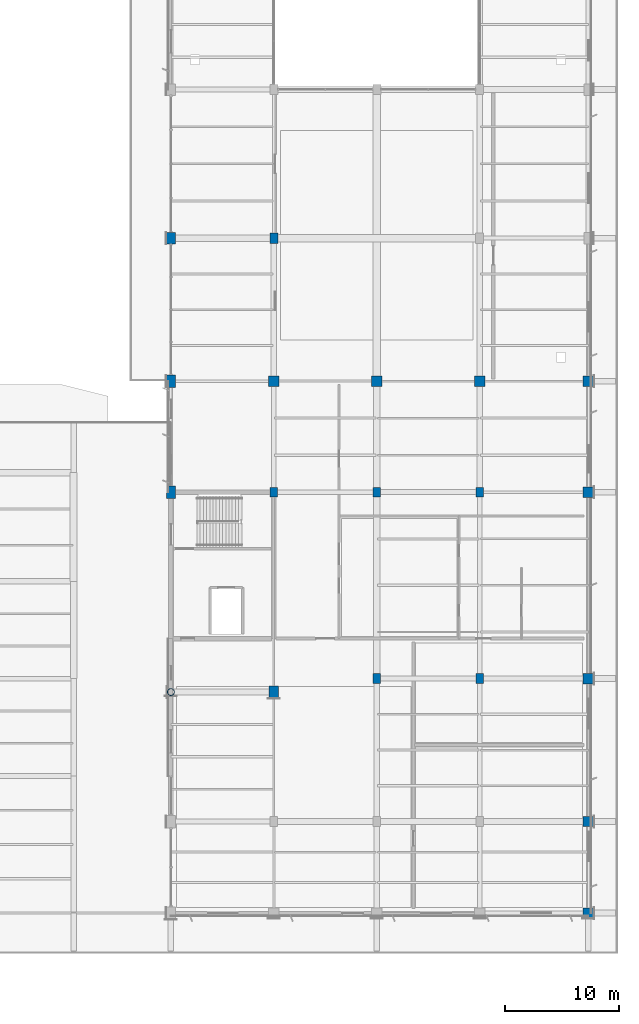
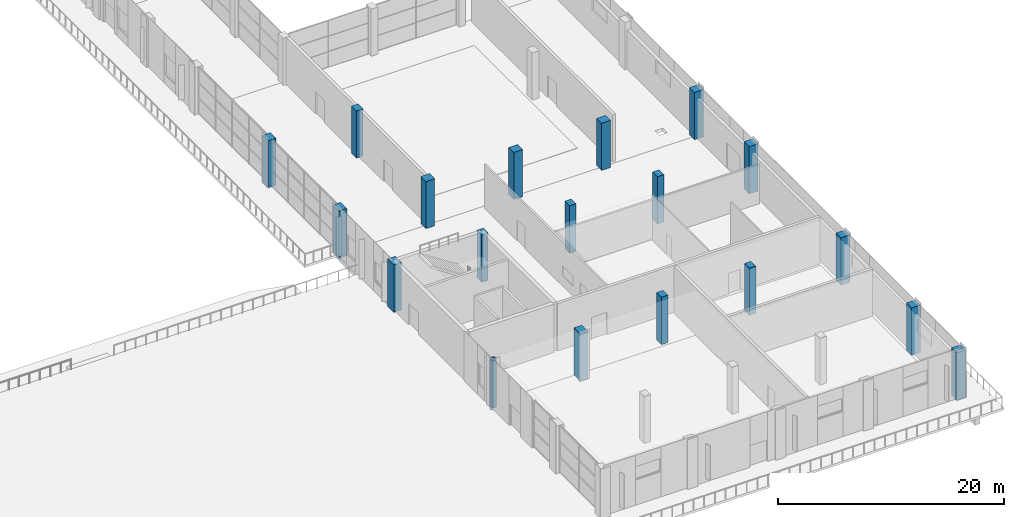
# One storey, part 6 of 90: 19 columns.
"""IFC4 building model written with IfcOpenShell, lengths in metres."""

from ifc_helpers import new_model, si_unit, direction, frame, origin, origin_2d, place, context, subcontext, project, spatial, rectangle, hollow_circle, extrude, material, material_profile, profile_set, type_object, element, save


model = new_model("IFC4")

# Units and contexts
model_context = context("Model", 3, precision=1e-05, world=origin(), true_north=direction((0.0, 1.0)))
body_context = subcontext(model_context, "Body", "Model", "MODEL_VIEW")
ifc_project = project(units=[si_unit("LENGTHUNIT", "METRE"), si_unit("AREAUNIT", "SQUARE_METRE"), si_unit("VOLUMEUNIT", "CUBIC_METRE"), si_unit("PLANEANGLEUNIT", "RADIAN"), si_unit("MASSUNIT", "GRAM", prefix="KILO")], contexts=[model_context])

# Site, building, storey
site_placement = place(None, origin())
site = spatial("IfcSite", under=ifc_project, at=site_placement, CompositionType="ELEMENT")
building_placement = place(site_placement, origin())
building = spatial("IfcBuilding", under=site, at=building_placement, Name="Solvikara Media Centre", CompositionType="ELEMENT")
storey_placement = place(building_placement, origin())
storey = spatial("IfcBuildingStorey", under=building, at=storey_placement, Name="L00", CompositionType="ELEMENT", Elevation=0.0)

# Columns
ifc_material_1 = material(Name="Concrete fc' 45 MPa (C45/55)", Category="concrete")
ifc_material_profile_1 = material_profile(ifc_material_1, rectangle(XDim=0.64990234375, YDim=0.85009765625, at=origin_2d()), Name="RC 650x850")
ifc_profile_set_1 = profile_set([ifc_material_profile_1], Name="Concrete fc' 45 MPa (C45/55)")
column_type_1 = type_object("IfcColumnType", Name="CL-11", PredefinedType="COLUMN", material=ifc_profile_set_1)
for number, where, z_axis, x_axis, name in (
    (1, (136.5, 36.800048828125, 0.0), (0.0, 0.0, 1.0), (1.0, 0.0, 0.0), "C-L00-1365-0368"),
    (2, (145.5, 20.5, 0.0), (0.0, 0.0, 1.0), (1.0, 0.0, 0.0), "C-L00-1455-0205"),
    (3, (145.5, 36.800048828125, 0.0), (0.0, 0.0, 1.0), (1.0, 0.0, 0.0), "C-L00-1455-0368"),
    (4, (154.5, 20.5, 0.0), (0.0, 0.0, 1.0), (1.0, 0.0, 0.0), "C-L00-1545-0205"),
    (5, (154.5, 36.800048828125, 0.0), (0.0, 0.0, 1.0), (1.0, 0.0, 0.0), "C-L00-1545-0368"),
):
    element("IfcColumn", number, at=place(storey_placement, frame(where, z_axis=z_axis, x_axis=x_axis)), inside=storey, type_object=column_type_1, Name=name, PredefinedType="COLUMN", context=body_context, shape_type="SweptSolid", body=[
        extrude(rectangle(XDim=0.64990234375, YDim=0.85009765625, at=origin_2d()), origin(), (0.0, 0.0, 1.0), 5.139892578125),
    ])
ifc_material_profile_2 = material_profile(ifc_material_1, rectangle(XDim=0.699951171875, YDim=0.89990234375, at=origin_2d()), Name="RC 700x900")
ifc_profile_set_2 = profile_set([ifc_material_profile_2], Name="Concrete fc' 45 MPa (C45/55)")
column_type_2 = type_object("IfcColumnType", Name="CL-12", PredefinedType="COLUMN", material=ifc_profile_set_2)
column_1_placement = place(storey_placement, frame((136.5, 59.0, 0.0), z_axis=(0.0, 0.0, 1.0), x_axis=(1.0, 0.0, 0.0)))
element("IfcColumn", 6, at=column_1_placement, inside=storey, type_object=column_type_2, Name="C-L00-1365-0590", PredefinedType="COLUMN", context=body_context, shape_type="SweptSolid", body=[
    extrude(rectangle(XDim=0.699951171875, YDim=0.89990234375, at=origin_2d()), origin(), (0.0, 0.0, 1.0), 5.10009765625),
])
ifc_material_profile_3 = material_profile(ifc_material_1, rectangle(XDim=0.800048828125, YDim=1.0, at=origin_2d()), Name="RC 800x1000")
ifc_profile_set_3 = profile_set([ifc_material_profile_3], Name="Concrete fc' 45 MPa (C45/55)")
column_type_3 = type_object("IfcColumnType", Name="CL-16", PredefinedType="COLUMN", material=ifc_profile_set_3)
column_2_placement = place(storey_placement, frame((127.5, 59.0, 0.0), z_axis=(0.0, 0.0, 1.0), x_axis=(1.0, 0.0, 0.0)))
element("IfcColumn", 7, at=column_2_placement, inside=storey, type_object=column_type_3, Name="C-L00-1275-0590", PredefinedType="COLUMN", context=body_context, shape_type="SweptSolid", body=[
    extrude(rectangle(XDim=0.800048828125, YDim=1.0, at=origin_2d()), origin(), (0.0, 0.0, 1.0), 5.10009765625),
])
ifc_material_profile_4 = material_profile(ifc_material_1, rectangle(XDim=0.800048828125, YDim=1.10009765625, at=origin_2d()), Name="RC 800x1100")
ifc_profile_set_4 = profile_set([ifc_material_profile_4], Name="Concrete fc' 45 MPa (C45/55)")
column_type_4 = type_object("IfcColumnType", Name="CL-17", PredefinedType="COLUMN", material=ifc_profile_set_4)
column_3_placement = place(storey_placement, frame((127.5, 36.800048828125, 0.0), z_axis=(0.0, 0.0, 1.0), x_axis=(1.0, 0.0, 0.0)))
element("IfcColumn", 8, at=column_3_placement, inside=storey, type_object=column_type_4, Name="C-L00-1275-0368", PredefinedType="COLUMN", context=body_context, shape_type="SweptSolid", body=[
    extrude(rectangle(XDim=0.800048828125, YDim=1.10009765625, at=origin_2d()), origin(), (0.0, 0.0, 1.0), 5.139892578125),
])
column_4_placement = place(storey_placement, frame((127.5, 46.5, 0.0), z_axis=(0.0, 0.0, 1.0), x_axis=(1.0, 0.0, 0.0)))
element("IfcColumn", 9, at=column_4_placement, inside=storey, type_object=column_type_4, Name="C-L00-1275-0465", PredefinedType="COLUMN", context=body_context, shape_type="SweptSolid", body=[
    extrude(rectangle(XDim=0.800048828125, YDim=1.10009765625, at=origin_2d()), origin(), (0.0, 0.0, 1.0), 5.10009765625),
])
column_5_placement = place(storey_placement, frame((136.5, 19.323974609375, 0.0), z_axis=(0.0, 0.0, 1.0), x_axis=(1.0, 0.0, 0.0)))
element("IfcColumn", 10, at=column_5_placement, inside=storey, type_object=column_type_4, Name="C-L00-1365-0193", PredefinedType="COLUMN", context=body_context, shape_type="SweptSolid", body=[
    extrude(rectangle(XDim=0.800048828125, YDim=1.10009765625, at=origin_2d()), origin(), (0.0, 0.0, 1.0), 5.139892578125),
])
ifc_material_profile_5 = material_profile(ifc_material_1, rectangle(XDim=0.89990234375, YDim=0.89990234375, at=origin_2d()), Name="RC 900x900")
ifc_profile_set_5 = profile_set([ifc_material_profile_5], Name="Concrete fc' 45 MPa (C45/55)")
column_type_5 = type_object("IfcColumnType", Name="CL-18", PredefinedType="COLUMN", material=ifc_profile_set_5)
for number, where, z_axis, x_axis, name in (
    (11, (136.5, 46.5, 0.0), (0.0, 0.0, 1.0), (1.0, 0.0, 0.0), "C-L00-1365-0465"),
    (12, (145.5, 46.5, 0.0), (0.0, 0.0, 1.0), (1.0, 0.0, 0.0), "C-L00-1455-0465"),
    (13, (154.5, 46.5, 0.0), (0.0, 0.0, 1.0), (1.0, 0.0, 0.0), "C-L00-1545-0465"),
):
    element("IfcColumn", number, at=place(storey_placement, frame(where, z_axis=z_axis, x_axis=x_axis)), inside=storey, type_object=column_type_5, Name=name, PredefinedType="COLUMN", context=body_context, shape_type="SweptSolid", body=[
        extrude(rectangle(XDim=0.89990234375, YDim=0.89990234375, at=origin_2d()), origin(), (0.0, 0.0, 1.0), 5.10009765625),
    ])
for number, where, z_axis, x_axis, name in (
    (14, (164.0, 0.0, 0.0), (0.0, 0.0, 1.0), (1.0, 0.0, 0.0), "C-L00-1640-0000"),
    (15, (164.0, 8.0, 0.0), (0.0, 0.0, 1.0), (1.0, 0.0, 0.0), "C-L00-1640-0080"),
    (16, (164.0, 20.5, 0.0), (0.0, 0.0, 1.0), (1.0, 0.0, 0.0), "C-L00-1640-0205"),
    (17, (164.0, 36.800048828125, 0.0), (0.0, 0.0, 1.0), (1.0, 0.0, 0.0), "C-L00-1640-0368"),
):
    element("IfcColumn", number, at=place(storey_placement, frame(where, z_axis=z_axis, x_axis=x_axis)), inside=storey, type_object=column_type_5, Name=name, PredefinedType="COLUMN", context=body_context, shape_type="SweptSolid", body=[
        extrude(rectangle(XDim=0.89990234375, YDim=0.89990234375, at=origin_2d()), origin(), (0.0, 0.0, 1.0), 5.139892578125),
    ])
column_6_placement = place(storey_placement, frame((164.0, 46.5, 0.0), z_axis=(0.0, 0.0, 1.0), x_axis=(1.0, 0.0, 0.0)))
element("IfcColumn", 18, at=column_6_placement, inside=storey, type_object=column_type_5, Name="C-L00-1640-0465", PredefinedType="COLUMN", context=body_context, shape_type="SweptSolid", body=[
    extrude(rectangle(XDim=0.89990234375, YDim=0.89990234375, at=origin_2d()), origin(), (0.0, 0.0, 1.0), 5.10009765625),
])
ifc_material_2 = material(Name="Steel S355JR", Category="steel")
ifc_material_profile_6 = material_profile(ifc_material_2, hollow_circle(Radius=0.304931640625, WallThickness=0.02001953125, at=origin_2d()), Name="CHS 610x20")
ifc_profile_set_6 = profile_set([ifc_material_profile_6], Name="Steel S355JR")
column_type_6 = type_object("IfcColumnType", Name="CL-23", PredefinedType="COLUMN", material=ifc_profile_set_6)
column_7_placement = place(storey_placement, frame((127.5, 19.323974609375, 0.0), z_axis=(0.0, 0.0, 1.0), x_axis=(1.0, 0.0, 0.0)))
element("IfcColumn", 19, at=column_7_placement, inside=storey, type_object=column_type_6, Name="C-L00-1275-0193", PredefinedType="COLUMN", context=body_context, shape_type="SweptSolid", body=[
    extrude(hollow_circle(Radius=0.304931640625, WallThickness=0.02001953125, at=origin_2d()), origin(), (0.0, 0.0, 1.0), 5.139892578125),
])

save(model, "model.ifc")
